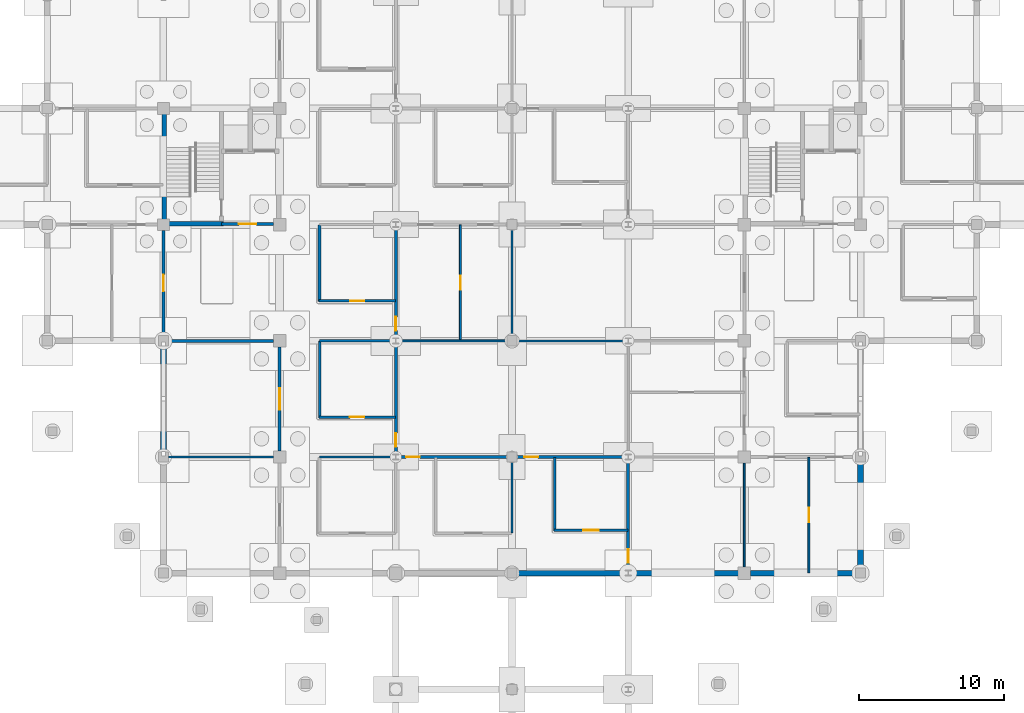
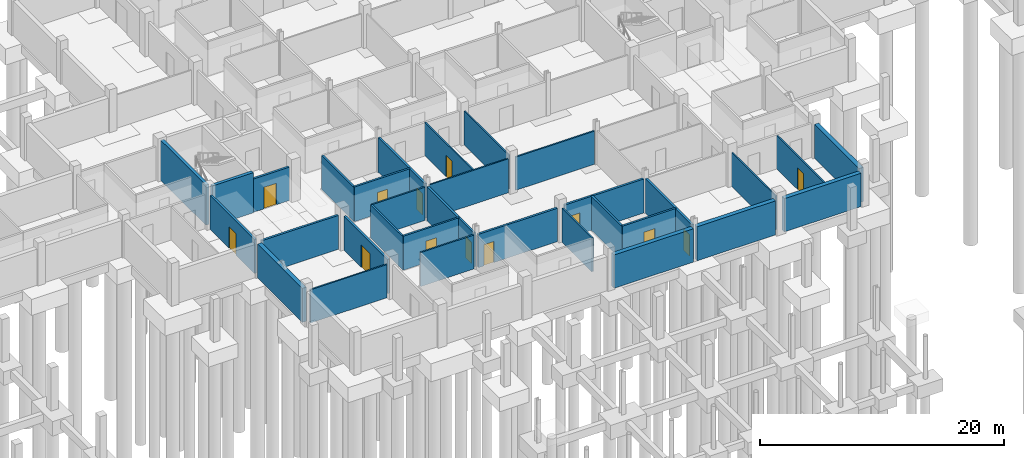
# One storey, part 28 of 48: 32 walls, 13 doors, 13 openings.
"""IFC4 building model written with IfcOpenShell, lengths in metres."""

import ifcopenshell
import ifcopenshell.guid

model = None  # the IFC model being written
_history = None  # IfcOwnerHistory: only IFC2X3 demands one
_inside = {}  # id of a spatial element -> (the spatial element, [elements in it])
_under = {}  # id of a project, library or spatial element -> (it, [spatial elements below it])
_declared = {}  # id of a project -> (the project, [libraries it declares])
_typed = {}  # id of a type object -> (the type object, [elements of that type])
_made_of = {}  # id of a material, layer set ... -> (it, [elements and type objects made of it])


def new_model(schema):
    """Start an empty IFC model of exactly this schema.

    Asked for "IFC4X3", IfcOpenShell would pick the latest addendum, in which some entities
    have other attributes; the version numbers below select the first issue.
    IFC2X3 requires an IfcOwnerHistory on every rooted entity: one is made here for all.
    """
    global model, _history
    if schema == "IFC4X3":
        model = ifcopenshell.file(schema_version=(4, 3, 0, 0))
    else:
        model = ifcopenshell.file(schema=schema)
    _inside.clear()
    _under.clear()
    _declared.clear()
    _typed.clear()
    _made_of.clear()
    _history = None
    if model.schema == "IFC2X3":
        org = make("IfcOrganization", Name="unknown")
        user = make(
            "IfcPersonAndOrganization",
            ThePerson=make("IfcPerson", FamilyName="unknown"),
            TheOrganization=org,
        )
        app = make(
            "IfcApplication",
            ApplicationDeveloper=org,
            Version="unknown",
            ApplicationFullName="unknown",
            ApplicationIdentifier="unknown",
        )
        _history = make(
            "IfcOwnerHistory",
            OwningUser=user,
            OwningApplication=app,
            ChangeAction="ADDED",
            CreationDate=0,
        )
    return model


def make(cls, **values):
    """One entity of the class cls with the attributes given. An attribute that is None is left unset."""
    return model.create_entity(
        cls, **{name: value for name, value in values.items() if value is not None}
    )


def rooted(cls, **values):
    """An entity with a GlobalId (a new one), such as an element, a storey or a relation."""
    return make(cls, GlobalId=ifcopenshell.guid.new(), OwnerHistory=_history, **values)


def si_unit(unit_type, name, prefix=None):
    """IfcSIUnit, for example si_unit("LENGTHUNIT", "METRE", prefix="MILLI")."""
    return make("IfcSIUnit", UnitType=unit_type, Prefix=prefix, Name=name)


def derived_unit(unit_type, elements):
    """IfcDerivedUnit: a product of units, each with its exponent."""
    return make(
        "IfcDerivedUnit",
        Elements=[
            make("IfcDerivedUnitElement", Unit=unit, Exponent=power)
            for unit, power in elements
        ],
        UnitType=unit_type,
    )


def assignment(units):
    """IfcUnitAssignment: the units of a project."""
    return None if units is None else make("IfcUnitAssignment", Units=units)


def point(xyz):
    """IfcCartesianPoint."""
    return None if xyz is None else make("IfcCartesianPoint", Coordinates=xyz)


def direction(xyz):
    """IfcDirection."""
    return None if xyz is None else make("IfcDirection", DirectionRatios=xyz)


def frame(location, z_axis=None, x_axis=None):
    """IfcAxis2Placement3D, a coordinate frame: its origin and axes. An axis left out is left unset."""
    return make(
        "IfcAxis2Placement3D",
        Location=point(location),
        Axis=direction(z_axis),
        RefDirection=direction(x_axis),
    )


def frame_2d(location, x_axis=None):
    """IfcAxis2Placement2D, a coordinate frame in the plane: its origin and x axis."""
    return make(
        "IfcAxis2Placement2D", Location=point(location), RefDirection=direction(x_axis)
    )


def origin():
    """The frame at (0, 0, 0) with its axes left unset."""
    return frame((0.0, 0.0, 0.0))


def place(relative_to, where):
    """IfcLocalPlacement: puts the frame where relative to a parent placement (None: the world)."""
    return make(
        "IfcLocalPlacement", PlacementRelTo=relative_to, RelativePlacement=where
    )


def context(
    kind, dimensions, precision=None, world=None, true_north=None, identifier=None
):
    """IfcGeometricRepresentationContext, for example the 3D "Model" context."""
    return make(
        "IfcGeometricRepresentationContext",
        ContextIdentifier=identifier,
        ContextType=kind,
        CoordinateSpaceDimension=dimensions,
        Precision=precision,
        WorldCoordinateSystem=world,
        TrueNorth=true_north,
    )


def subcontext(parent, identifier, kind, view, scale=None):
    """IfcGeometricRepresentationSubContext, for example "Body" below "Model"."""
    return make(
        "IfcGeometricRepresentationSubContext",
        ContextIdentifier=identifier,
        ContextType=kind,
        ParentContext=parent,
        TargetScale=scale,
        TargetView=view,
    )


def project(units=None, contexts=None):
    """IfcProject with its units and contexts."""
    return rooted(
        "IfcProject",
        Name="project",
        RepresentationContexts=contexts,
        UnitsInContext=assignment(units),
    )


def spatial(cls, under=None, at=None, **own):
    """A site, building, storey or space (cls), placed at a placement, below another one or the project."""
    s = rooted(cls, ObjectPlacement=at, **own)
    if under is not None:
        _under.setdefault(under.id(), (under, []))[1].append(s)
    return s


def profile(cls, at=None, kind="AREA", **sizes):
    """A parametric profile (cls). Its sizes go by their IFC names, for example OverallWidth=200.0."""
    return make(cls, ProfileType=kind, Position=at, **sizes)


def rectangle(**sizes):
    """IfcRectangleProfileDef."""
    return profile("IfcRectangleProfileDef", **sizes)


def extrude(swept, where, along, depth):
    """IfcExtrudedAreaSolid: the profile swept, set in the frame where, extruded along a direction by depth."""
    return make(
        "IfcExtrudedAreaSolid",
        SweptArea=swept,
        Position=where,
        ExtrudedDirection=direction(along),
        Depth=depth,
    )


def shape(context_of_items, identifier, shape_type, items):
    """IfcShapeRepresentation: the items that make up one representation, for example the "Body"."""
    return make(
        "IfcShapeRepresentation",
        ContextOfItems=context_of_items,
        RepresentationIdentifier=identifier,
        RepresentationType=shape_type,
        Items=items,
    )


def material(Name=None, Category=None):
    """IfcMaterial."""
    return make("IfcMaterial", Name=Name, Category=Category)


def layer(
    of_material, thickness, ventilated=None, Name=None, Category=None, Priority=None
):
    """IfcMaterialLayer: one layer of a wall or slab, of a material (None: an air gap)."""
    return make(
        "IfcMaterialLayer",
        Material=of_material,
        LayerThickness=thickness,
        IsVentilated=ventilated,
        Name=Name,
        Category=Category,
        Priority=Priority,
    )


def layer_set(layers, Name=None):
    """IfcMaterialLayerSet."""
    return make("IfcMaterialLayerSet", MaterialLayers=layers, LayerSetName=Name)


def made_of(thing, what):
    """Note that an element or type object is made of a material, layer set ...; save() writes the relation."""
    if what is not None:
        _made_of.setdefault(what.id(), (what, []))[1].append(thing)
    return thing


def type_object(cls, material=None, **own):
    """A type object (cls), such as IfcWallType, which elements share."""
    return made_of(rooted(cls, **own), material)


def element(
    cls,
    number,
    at=None,
    inside=None,
    cuts=None,
    type_object=None,
    material=None,
    context=None,
    identifier="Body",
    shape_type=None,
    held_by="IfcProductDefinitionShape",
    body=None,
    shapes=None,
    **own,
):
    """One element of the class cls, such as IfcWall. Its Tag is "e" and its number.

    at: its placement. inside: the storey or other place that contains it. cuts: it is an
    opening in that element (IfcRelVoidsElement). A single representation is given by context,
    identifier, shape_type and body (its items); several are given by shapes. held_by: the class
    of the entity that holds the representations. save() writes the other relations.
    """
    e = rooted(cls, Tag="e%d" % number, ObjectPlacement=at, **own)
    if body is not None:
        shapes = [shape(context, identifier, shape_type, body)]
    if shapes is not None:
        e.Representation = make(held_by, Representations=shapes)
    if inside is not None:
        _inside.setdefault(inside.id(), (inside, []))[1].append(e)
    if cuts is not None:
        rooted(
            "IfcRelVoidsElement", RelatingBuildingElement=cuts, RelatedOpeningElement=e
        )
    if type_object is not None:
        _typed.setdefault(type_object.id(), (type_object, []))[1].append(e)
    return made_of(e, material)


def fill(opening, filler):
    """IfcRelFillsElement: the door or window that sits in an opening."""
    return rooted(
        "IfcRelFillsElement",
        RelatingOpeningElement=opening,
        RelatedBuildingElement=filler,
    )


def aggregate(whole, parts):
    """IfcRelAggregates: a whole, such as a stair, and the parts it consists of."""
    return rooted("IfcRelAggregates", RelatingObject=whole, RelatedObjects=parts)


def save(model, path):
    """Write the relations noted so far, then the file.

    IfcRelAggregates (storeys below a building ...), IfcRelContainedInSpatialStructure (elements
    in a storey), IfcRelDefinesByType, IfcRelAssociatesMaterial and IfcRelDeclares: one each for
    every whole, place, type object, material and project.
    """
    for whole, parts in _under.values():
        aggregate(whole, parts)
    for where, things in _inside.values():
        rooted(
            "IfcRelContainedInSpatialStructure",
            RelatedElements=things,
            RelatingStructure=where,
        )
    for kind, things in _typed.values():
        rooted("IfcRelDefinesByType", RelatedObjects=things, RelatingType=kind)
    for what, things in _made_of.values():
        rooted("IfcRelAssociatesMaterial", RelatedObjects=things, RelatingMaterial=what)
    for by, libraries in _declared.values():
        rooted("IfcRelDeclares", RelatingContext=by, RelatedDefinitions=libraries)
    model.write(path)


model = new_model("IFC4")

# Units and contexts
model_context = context("Model", 3, precision=1e-05, world=origin(), true_north=direction((0.0, 1.0)))
body_context = subcontext(model_context, "Body", "Model", "MODEL_VIEW")
ifc_project = project(units=[si_unit("LENGTHUNIT", "METRE"), si_unit("AREAUNIT", "SQUARE_METRE"), si_unit("VOLUMEUNIT", "CUBIC_METRE"), si_unit("PLANEANGLEUNIT", "RADIAN"), si_unit("MASSUNIT", "GRAM", prefix="KILO"), derived_unit("THERMALTRANSMITTANCEUNIT", [(si_unit("MASSUNIT", "GRAM", prefix="KILO"), 1), (si_unit("TIMEUNIT", "SECOND"), -3), (si_unit("THERMODYNAMICTEMPERATUREUNIT", "KELVIN"), -1)])], contexts=[model_context])

# Site, building, storey
site_placement = place(None, origin())
site = spatial("IfcSite", under=ifc_project, at=site_placement, CompositionType="ELEMENT")
building_placement = place(site_placement, origin())
building = spatial("IfcBuilding", under=site, at=building_placement, Name="Veyamyaing Civic Hall", CompositionType="ELEMENT")
storey_placement = place(building_placement, frame((0.0, 0.0, -4.2900390625)))
storey = spatial("IfcBuildingStorey", under=building, at=storey_placement, Name="B1", CompositionType="ELEMENT", Elevation=-4.2900390625)

# Walls
ifc_material_1 = material(Name="Concrete C40/50", Category="concrete")
ifc_layer_1 = layer(ifc_material_1, 0.39990234375, Name="Concrete C40/50")
ifc_layer_set_1 = layer_set([ifc_layer_1], Name="Concrete C40/50")
wall_type_1 = type_object("IfcWallType", Name="WT-01", PredefinedType="SHEAR", material=ifc_layer_set_1)
wall_1_placement = place(storey_placement, frame((64.0, 32.3349609375, 0.0), z_axis=(0.0, 0.0, 1.0), x_axis=(0.0, 1.0, 0.0)))
element("IfcWall", 1, at=wall_1_placement, inside=storey, type_object=wall_type_1, Name="Basement retaining wall WT-01 W 9.5", PredefinedType="SHEAR", context=body_context, shape_type="SweptSolid", body=[
    extrude(rectangle(XDim=7.330078125, YDim=0.39990234375, at=frame_2d((3.6650390625, 0.0))), origin(), (0.0, 0.0, 1.0), 3.400146484375),
])
wall_2_placement = place(storey_placement, frame((88.3349609375, 24.0, 0.0), z_axis=(0.0, 0.0, 1.0), x_axis=(1.0, 0.0, 0.0)))
element("IfcWall", 2, at=wall_2_placement, inside=storey, type_object=wall_type_1, Name="Basement retaining wall WT-01 S 12.4", PredefinedType="SHEAR", context=body_context, shape_type="SweptSolid", body=[
    extrude(rectangle(XDim=7.48095703125, YDim=0.39990234375, at=frame_2d((3.740478515625, 0.0))), origin(), (0.0, 0.0, 1.0), 3.3330078125),
])
wall_3_placement = place(storey_placement, frame((96.18408203125, 24.0, 0.0), z_axis=(0.0, 0.0, 1.0), x_axis=(1.0, 0.0, 0.0)))
element("IfcWall", 3, at=wall_3_placement, inside=storey, type_object=wall_type_1, Name="Basement retaining wall WT-01 S 13.4", PredefinedType="SHEAR", context=body_context, shape_type="SweptSolid", body=[
    extrude(rectangle(XDim=7.406005859375, YDim=0.39990234375, at=frame_2d((3.703125, 0.0))), origin(), (0.0, 0.0, 1.0), 3.401123046875),
])
wall_4_placement = place(storey_placement, frame((104.409912109375, 24.0, 0.0), z_axis=(0.0, 0.0, 1.0), x_axis=(1.0, 0.0, 0.0)))
element("IfcWall", 4, at=wall_4_placement, inside=storey, type_object=wall_type_1, Name="Basement retaining wall WT-01 S 14.4", PredefinedType="SHEAR", context=body_context, shape_type="SweptSolid", body=[
    extrude(rectangle(XDim=7.255126953125, YDim=0.39990234375, at=frame_2d((3.62744140625, 0.0))), origin(), (0.0, 0.0, 1.0), 3.323974609375),
])
wall_5_placement = place(storey_placement, frame((112.0, 24.3349609375, 0.0), z_axis=(0.0, 0.0, 1.0), x_axis=(0.0, 1.0, 0.0)))
element("IfcWall", 5, at=wall_5_placement, inside=storey, type_object=wall_type_1, Name="Basement retaining wall WT-01 E 14.4", PredefinedType="SHEAR", context=body_context, shape_type="SweptSolid", body=[
    extrude(rectangle(XDim=7.330078125, YDim=0.39990234375, at=frame_2d((3.6650390625, 0.0))), origin(), (0.0, 0.0, 1.0), 3.408935546875),
])
ifc_layer_2 = layer(ifc_material_1, 0.300048828125, Name="Concrete C40/50")
ifc_layer_set_2 = layer_set([ifc_layer_2], Name="Concrete C40/50")
wall_type_2 = type_object("IfcWallType", Name="WT-05", PredefinedType="SHEAR", material=ifc_layer_set_2)
wall_6_placement = place(storey_placement, frame((64.050048828125, 48.2900390625, 0.0), z_axis=(0.0, 0.0, 1.0), x_axis=(0.0, 1.0, 0.0)))
element("IfcWall", 6, at=wall_6_placement, inside=storey, type_object=wall_type_2, Name="Core shear wall WT-05 CORE-5 B1.W", PredefinedType="SHEAR", context=body_context, shape_type="SweptSolid", body=[
    extrude(rectangle(XDim=7.419921875, YDim=0.300048828125, at=frame_2d((3.7099609375, 0.0))), origin(), (0.0, 0.0, 1.0), 4.01513671875),
])
wall_7_placement = place(storey_placement, frame((64.2900390625, 48.050048828125, 0.0), z_axis=(0.0, 0.0, 1.0), x_axis=(1.0, 0.0, 0.0)))
element("IfcWall", 7, at=wall_7_placement, inside=storey, type_object=wall_type_2, Name="Core shear wall WT-05 CORE-5 B1.SS", PredefinedType="SHEAR", context=body_context, shape_type="SweptSolid", body=[
    extrude(rectangle(XDim=3.85986328125, YDim=0.300048828125, at=frame_2d((1.929931640625, 0.0))), origin(), (0.0, 0.0, 1.0), 4.01513671875),
])

# Wall, opening, door
ifc_layer_3 = layer(ifc_material_1, 0.199951171875, Name="Concrete C40/50")
ifc_layer_set_3 = layer_set([ifc_layer_3], Name="Concrete C40/50")
wall_type_3 = type_object("IfcWallType", Name="WT-06", PredefinedType="PARTITIONING", material=ifc_layer_set_3)
wall_8_placement = place(storey_placement, frame((68.0, 48.050048828125, 0.0), z_axis=(0.0, 0.0, 1.0), x_axis=(1.0, 0.0, 0.0)))
wall_8 = element("IfcWall", 8, at=wall_8_placement, inside=storey, type_object=wall_type_3, Name="Firefighting lift lobby wall WT-06 CORE-5 B1", PredefinedType="PARTITIONING", context=body_context, shape_type="SweptSolid", body=[
    extrude(rectangle(XDim=3.5849609375, YDim=0.199951171875, at=frame_2d((1.79248046875, 0.0))), origin(), (0.0, 0.0, 1.0), 3.325927734375),
])
opening_1_placement = place(wall_8_placement, frame((1.1923828125, 0.0, 0.0)))
opening_1 = element("IfcOpeningElement", 9, at=opening_1_placement, cuts=wall_8, Name="Opening D-04", PredefinedType="OPENING", context=body_context, shape_type="SweptSolid", body=[
    extrude(rectangle(XDim=1.199951171875, YDim=2.14990234375, at=frame_2d((0.60009765625, 1.074951171875))), frame((0.0, 0.10986328125, 0.0), z_axis=(0.0, -1.0, 0.0), x_axis=(1.0, 0.0, 0.0)), (0.0, 0.0, 1.0), 0.219970703125),
])
ifc_material_2 = material(Name="Galvanized steel S355J2", Category="steel")
door_type_1 = type_object("IfcDoorType", Name="D-04", OperationType="NOTDEFINED", PredefinedType="DOOR", material=ifc_material_2)
door_1_placement = place(opening_1_placement, frame((1.199951171875, 0.0, 0.0), z_axis=(0.0, 0.0, 1.0), x_axis=(-1.0, 0.0, 0.0)))
door_1 = element("IfcDoor", 10, at=door_1_placement, inside=storey, type_object=door_type_1, Name="Protected lobby fire door D-04 CORE-5 B1", OperationType="SINGLE_SWING_RIGHT", OverallHeight=2.14990234375, OverallWidth=1.199951171875, PredefinedType="DOOR", context=body_context, shape_type="SweptSolid", body=[
    extrude(rectangle(XDim=1.199951171875, YDim=2.14990234375, at=frame_2d((0.60009765625, 1.074951171875))), frame((0.0, 0.02490234375, 0.0), z_axis=(0.0, -1.0, 0.0), x_axis=(1.0, 0.0, 0.0)), (0.0, 0.0, 1.0), 0.050048828125),
])
fill(opening_1, door_1)

wall_9_placement = place(storey_placement, frame((64.0, 40.340087890625, 0.0), z_axis=(0.0, 0.0, 1.0), x_axis=(0.0, 1.0, 0.0)))
wall_9 = element("IfcWall", 11, at=wall_9_placement, inside=storey, type_object=wall_type_3, Name="Interior partition wall WT-06 B1.13", PredefinedType="PARTITIONING", context=body_context, shape_type="SweptSolid", body=[
    extrude(rectangle(XDim=7.27001953125, YDim=0.199951171875, at=frame_2d((3.635009765625, 0.0))), origin(), (0.0, 0.0, 1.0), 3.402099609375),
])
opening_2_placement = place(wall_9_placement, frame((3.06005859375, 0.0, 0.0)))
opening_2 = element("IfcOpeningElement", 12, at=opening_2_placement, cuts=wall_9, Name="Opening D-17", PredefinedType="OPENING", context=body_context, shape_type="SweptSolid", body=[
    extrude(rectangle(XDim=1.14990234375, YDim=2.14990234375, at=frame_2d((0.574951171875, 1.074951171875))), frame((0.0, 0.10986328125, 0.0), z_axis=(0.0, -1.0, 0.0), x_axis=(1.0, 0.0, 0.0)), (0.0, 0.0, 1.0), 0.219970703125),
])
door_type_2 = type_object("IfcDoorType", Name="D-17", OperationType="NOTDEFINED", PredefinedType="DOOR", material=ifc_material_2)
door_2_placement = place(opening_2_placement, origin())
door_2 = element("IfcDoor", 13, at=door_2_placement, inside=storey, type_object=door_type_2, Name="Interior door D-17 B1.13", OperationType="SINGLE_SWING_LEFT", OverallHeight=2.14990234375, OverallWidth=1.14990234375, PredefinedType="DOOR", context=body_context, shape_type="SweptSolid", body=[
    extrude(rectangle(XDim=1.14990234375, YDim=2.14990234375, at=frame_2d((0.574951171875, 1.074951171875))), frame((0.0, 0.02490234375, 0.0), z_axis=(0.0, -1.0, 0.0), x_axis=(1.0, 0.0, 0.0)), (0.0, 0.0, 1.0), 0.050048828125),
])
fill(opening_2, door_2)

wall_10_placement = place(storey_placement, frame((72.0, 32.4150390625, 0.0), z_axis=(0.0, 0.0, 1.0), x_axis=(0.0, 1.0, 0.0)))
wall_10 = element("IfcWall", 14, at=wall_10_placement, inside=storey, type_object=wall_type_3, Name="Interior partition wall WT-06 B1.18", PredefinedType="PARTITIONING", context=body_context, shape_type="SweptSolid", body=[
    extrude(rectangle(XDim=7.169921875, YDim=0.199951171875, at=frame_2d((3.5849609375, 0.0))), origin(), (0.0, 0.0, 1.0), 3.402099609375),
])
opening_3_placement = place(wall_10_placement, frame((2.8349609375, 0.0, 0.0)))
opening_3 = element("IfcOpeningElement", 15, at=opening_3_placement, cuts=wall_10, Name="Opening D-10", PredefinedType="OPENING", context=body_context, shape_type="SweptSolid", body=[
    extrude(rectangle(XDim=1.5, YDim=2.25, at=frame_2d((0.75, 1.125))), frame((0.0, 0.10986328125, 0.0), z_axis=(0.0, -1.0, 0.0), x_axis=(1.0, 0.0, 0.0)), (0.0, 0.0, 1.0), 0.219970703125),
])
door_type_3 = type_object("IfcDoorType", Name="D-10", OperationType="DOUBLE_DOOR_SINGLE_SWING", PredefinedType="DOOR", material=ifc_material_2)
door_3_placement = place(opening_3_placement, origin())
door_3 = element("IfcDoor", 16, at=door_3_placement, inside=storey, type_object=door_type_3, Name="Interior door D-10 B1.18", OperationType="DOUBLE_DOOR_SINGLE_SWING", OverallHeight=2.25, OverallWidth=1.5, PredefinedType="DOOR", context=body_context, shape_type="SweptSolid", body=[
    extrude(rectangle(XDim=1.5, YDim=2.25, at=frame_2d((0.75, 1.125))), frame((0.0, 0.02490234375, 0.0), z_axis=(0.0, -1.0, 0.0), x_axis=(1.0, 0.0, 0.0)), (0.0, 0.0, 1.0), 0.050048828125),
])
fill(opening_3, door_3)

# Wall
wall_11_placement = place(storey_placement, frame((64.340087890625, 40.0, 0.0), z_axis=(0.0, 0.0, 1.0), x_axis=(1.0, 0.0, 0.0)))
element("IfcWall", 17, at=wall_11_placement, inside=storey, type_object=wall_type_3, Name="Interior partition wall WT-06 B1.19", PredefinedType="PARTITIONING", context=body_context, shape_type="SweptSolid", body=[
    extrude(rectangle(XDim=7.244873046875, YDim=0.199951171875, at=frame_2d((3.62255859375, 0.0))), origin(), (0.0, 0.0, 1.0), 3.39306640625),
])

# Wall, opening, door
wall_12_placement = place(storey_placement, frame((80.0, 32.18359375, 0.0), z_axis=(0.0, 0.0, 1.0), x_axis=(0.0, 1.0, 0.0)))
wall_12 = element("IfcWall", 18, at=wall_12_placement, inside=storey, type_object=wall_type_3, Name="Interior partition wall WT-06 B1.24", PredefinedType="PARTITIONING", context=body_context, shape_type="SweptSolid", body=[
    extrude(rectangle(XDim=7.6328125, YDim=0.199951171875, at=frame_2d((3.81640625, 0.0))), origin(), (0.0, 0.0, 1.0), 3.39404296875),
])
opening_4_placement = place(wall_12_placement, frame((0.52001953125, 0.0, 0.0)))
opening_4 = element("IfcOpeningElement", 19, at=opening_4_placement, cuts=wall_12, Name="Opening D-30", PredefinedType="OPENING", context=body_context, shape_type="SweptSolid", body=[
    extrude(rectangle(XDim=0.93994140625, YDim=2.1201171875, at=frame_2d((0.469970703125, 1.06005859375))), frame((0.0, 0.10986328125, 0.0), z_axis=(0.0, -1.0, 0.0), x_axis=(1.0, 0.0, 0.0)), (0.0, 0.0, 1.0), 0.219970703125),
])
ifc_material_3 = material(Name="Teak-veneered acoustic timber", Category="wood")
door_type_4 = type_object("IfcDoorType", Name="D-30", OperationType="NOTDEFINED", PredefinedType="DOOR", material=ifc_material_3)
door_4_placement = place(opening_4_placement, frame((0.93994140625, 0.0, 0.0), z_axis=(0.0, 0.0, 1.0), x_axis=(-1.0, 0.0, 0.0)))
door_4 = element("IfcDoor", 20, at=door_4_placement, inside=storey, type_object=door_type_4, Name="Interior door D-30 B1.24", OperationType="SINGLE_SWING_LEFT", OverallHeight=2.1201171875, OverallWidth=0.93994140625, PredefinedType="DOOR", context=body_context, shape_type="SweptSolid", body=[
    extrude(rectangle(XDim=0.93994140625, YDim=2.1201171875, at=frame_2d((0.469970703125, 1.06005859375))), frame((0.0, 0.02490234375, 0.0), z_axis=(0.0, -1.0, 0.0), x_axis=(1.0, 0.0, 0.0)), (0.0, 0.0, 1.0), 0.050048828125),
])
fill(opening_4, door_4)

wall_13_placement = place(storey_placement, frame((80.0, 40.18359375, 0.0), z_axis=(0.0, 0.0, 1.0), x_axis=(0.0, 1.0, 0.0)))
wall_13 = element("IfcWall", 21, at=wall_13_placement, inside=storey, type_object=wall_type_3, Name="Interior partition wall WT-06 B1.25", PredefinedType="PARTITIONING", context=body_context, shape_type="SweptSolid", body=[
    extrude(rectangle(XDim=7.6328125, YDim=0.199951171875, at=frame_2d((3.81640625, 0.0))), origin(), (0.0, 0.0, 1.0), 3.4609375),
])
opening_5_placement = place(wall_13_placement, frame((0.52001953125, 0.0, 0.0)))
opening_5 = element("IfcOpeningElement", 22, at=opening_5_placement, cuts=wall_13, Name="Opening D-30", PredefinedType="OPENING", context=body_context, shape_type="SweptSolid", body=[
    extrude(rectangle(XDim=0.93994140625, YDim=2.1201171875, at=frame_2d((0.469970703125, 1.06005859375))), frame((0.0, 0.10986328125, 0.0), z_axis=(0.0, -1.0, 0.0), x_axis=(1.0, 0.0, 0.0)), (0.0, 0.0, 1.0), 0.219970703125),
])
door_5_placement = place(opening_5_placement, frame((0.93994140625, 0.0, 0.0), z_axis=(0.0, 0.0, 1.0), x_axis=(-1.0, 0.0, 0.0)))
door_5 = element("IfcDoor", 23, at=door_5_placement, inside=storey, type_object=door_type_4, Name="Interior door D-30 B1.25", OperationType="SINGLE_SWING_RIGHT", OverallHeight=2.1201171875, OverallWidth=0.93994140625, PredefinedType="DOOR", context=body_context, shape_type="SweptSolid", body=[
    extrude(rectangle(XDim=0.93994140625, YDim=2.1201171875, at=frame_2d((0.469970703125, 1.06005859375))), frame((0.0, 0.02490234375, 0.0), z_axis=(0.0, -1.0, 0.0), x_axis=(1.0, 0.0, 0.0)), (0.0, 0.0, 1.0), 0.050048828125),
])
fill(opening_5, door_5)

wall_14_placement = place(storey_placement, frame((80.18896484375, 32.0, 0.0), z_axis=(0.0, 0.0, 1.0), x_axis=(1.0, 0.0, 0.0)))
wall_14 = element("IfcWall", 24, at=wall_14_placement, inside=storey, type_object=wall_type_3, Name="Interior partition wall WT-06 B1.28", PredefinedType="PARTITIONING", context=body_context, shape_type="SweptSolid", body=[
    extrude(rectangle(XDim=7.470947265625, YDim=0.199951171875, at=frame_2d((3.7353515625, 0.0))), origin(), (0.0, 0.0, 1.0), 3.325927734375),
])
opening_6_placement = place(wall_14_placement, frame((0.52001953125, 0.0, 0.0)))
opening_6 = element("IfcOpeningElement", 25, at=opening_6_placement, cuts=wall_14, Name="Opening D-30", PredefinedType="OPENING", context=body_context, shape_type="SweptSolid", body=[
    extrude(rectangle(XDim=0.93994140625, YDim=2.1201171875, at=frame_2d((0.469970703125, 1.06005859375))), frame((0.0, 0.10986328125, 0.0), z_axis=(0.0, -1.0, 0.0), x_axis=(1.0, 0.0, 0.0)), (0.0, 0.0, 1.0), 0.219970703125),
])
door_6_placement = place(opening_6_placement, origin())
door_6 = element("IfcDoor", 26, at=door_6_placement, inside=storey, type_object=door_type_4, Name="Interior door D-30 B1.28", OperationType="SINGLE_SWING_LEFT", OverallHeight=2.1201171875, OverallWidth=0.93994140625, PredefinedType="DOOR", context=body_context, shape_type="SweptSolid", body=[
    extrude(rectangle(XDim=0.93994140625, YDim=2.1201171875, at=frame_2d((0.469970703125, 1.06005859375))), frame((0.0, 0.02490234375, 0.0), z_axis=(0.0, -1.0, 0.0), x_axis=(1.0, 0.0, 0.0)), (0.0, 0.0, 1.0), 0.050048828125),
])
fill(opening_6, door_6)

wall_15_placement = place(storey_placement, frame((96.0, 24.18359375, 0.0), z_axis=(0.0, 0.0, 1.0), x_axis=(0.0, 1.0, 0.0)))
wall_15 = element("IfcWall", 27, at=wall_15_placement, inside=storey, type_object=wall_type_3, Name="Interior partition wall WT-06 B1.36", PredefinedType="PARTITIONING", context=body_context, shape_type="SweptSolid", body=[
    extrude(rectangle(XDim=7.6328125, YDim=0.199951171875, at=frame_2d((3.81640625, 0.0))), origin(), (0.0, 0.0, 1.0), 3.4609375),
])
opening_7_placement = place(wall_15_placement, frame((0.52001953125, 0.0, 0.0)))
opening_7 = element("IfcOpeningElement", 28, at=opening_7_placement, cuts=wall_15, Name="Opening D-30", PredefinedType="OPENING", context=body_context, shape_type="SweptSolid", body=[
    extrude(rectangle(XDim=0.93994140625, YDim=2.1201171875, at=frame_2d((0.469970703125, 1.06005859375))), frame((0.0, 0.10986328125, 0.0), z_axis=(0.0, -1.0, 0.0), x_axis=(1.0, 0.0, 0.0)), (0.0, 0.0, 1.0), 0.219970703125),
])
door_7_placement = place(opening_7_placement, frame((0.93994140625, 0.0, 0.0), z_axis=(0.0, 0.0, 1.0), x_axis=(-1.0, 0.0, 0.0)))
door_7 = element("IfcDoor", 29, at=door_7_placement, inside=storey, type_object=door_type_4, Name="Interior door D-30 B1.36", OperationType="SINGLE_SWING_RIGHT", OverallHeight=2.1201171875, OverallWidth=0.93994140625, PredefinedType="DOOR", context=body_context, shape_type="SweptSolid", body=[
    extrude(rectangle(XDim=0.93994140625, YDim=2.1201171875, at=frame_2d((0.469970703125, 1.06005859375))), frame((0.0, 0.02490234375, 0.0), z_axis=(0.0, -1.0, 0.0), x_axis=(1.0, 0.0, 0.0)), (0.0, 0.0, 1.0), 0.050048828125),
])
fill(opening_7, door_7)

wall_16_placement = place(storey_placement, frame((88.340087890625, 32.0, 0.0), z_axis=(0.0, 0.0, 1.0), x_axis=(1.0, 0.0, 0.0)))
wall_16 = element("IfcWall", 30, at=wall_16_placement, inside=storey, type_object=wall_type_3, Name="Interior partition wall WT-06 B1.37", PredefinedType="PARTITIONING", context=body_context, shape_type="SweptSolid", body=[
    extrude(rectangle(XDim=7.470947265625, YDim=0.199951171875, at=frame_2d((3.7353515625, 0.0))), origin(), (0.0, 0.0, 1.0), 3.39404296875),
])
opening_8_placement = place(wall_16_placement, frame((0.52001953125, 0.0, 0.0)))
opening_8 = element("IfcOpeningElement", 31, at=opening_8_placement, cuts=wall_16, Name="Opening D-30", PredefinedType="OPENING", context=body_context, shape_type="SweptSolid", body=[
    extrude(rectangle(XDim=0.93994140625, YDim=2.1201171875, at=frame_2d((0.469970703125, 1.06005859375))), frame((0.0, 0.10986328125, 0.0), z_axis=(0.0, -1.0, 0.0), x_axis=(1.0, 0.0, 0.0)), (0.0, 0.0, 1.0), 0.219970703125),
])
door_8_placement = place(opening_8_placement, origin())
door_8 = element("IfcDoor", 32, at=door_8_placement, inside=storey, type_object=door_type_4, Name="Interior door D-30 B1.37", OperationType="SINGLE_SWING_LEFT", OverallHeight=2.1201171875, OverallWidth=0.93994140625, PredefinedType="DOOR", context=body_context, shape_type="SweptSolid", body=[
    extrude(rectangle(XDim=0.93994140625, YDim=2.1201171875, at=frame_2d((0.469970703125, 1.06005859375))), frame((0.0, 0.02490234375, 0.0), z_axis=(0.0, -1.0, 0.0), x_axis=(1.0, 0.0, 0.0)), (0.0, 0.0, 1.0), 0.050048828125),
])
fill(opening_8, door_8)

ifc_material_4 = material(Name="Gypsum board on acoustic steel stud", Category="steel")
ifc_layer_4 = layer(ifc_material_4, 0.175048828125, Name="Gypsum board on acoustic steel stud")
ifc_layer_set_4 = layer_set([ifc_layer_4], Name="Gypsum board on acoustic steel stud")
wall_type_4 = type_object("IfcWallType", Name="WT-07", PredefinedType="PARTITIONING", material=ifc_layer_set_4)
wall_17_placement = place(storey_placement, frame((74.699951171875, 34.75, 0.0), z_axis=(0.0, 0.0, 1.0), x_axis=(1.0, 0.0, 0.0)))
wall_17 = element("IfcWall", 33, at=wall_17_placement, inside=storey, type_object=wall_type_4, Name="Corridor gallery partition WT-07 B1.21.1", PredefinedType="PARTITIONING", context=body_context, shape_type="SweptSolid", body=[
    extrude(rectangle(XDim=5.280029296875, YDim=0.175048828125, at=frame_2d((2.64013671875, 0.0))), origin(), (0.0, 0.0, 1.0), 3.39404296875),
])
opening_9_placement = place(wall_17_placement, frame((2.139892578125, 0.0, 0.0)))
opening_9 = element("IfcOpeningElement", 34, at=opening_9_placement, cuts=wall_17, Name="Opening D-13", PredefinedType="OPENING", context=body_context, shape_type="SweptSolid", body=[
    extrude(rectangle(XDim=1.0, YDim=2.14990234375, at=frame_2d((0.5, 1.074951171875))), frame((0.0, 0.097412109375, 0.0), z_axis=(0.0, -1.0, 0.0), x_axis=(1.0, 0.0, 0.0)), (0.0, 0.0, 1.0), 0.195068359375),
])
door_type_5 = type_object("IfcDoorType", Name="D-13", OperationType="NOTDEFINED", PredefinedType="DOOR", material=ifc_material_3)
door_9_placement = place(opening_9_placement, origin())
door_9 = element("IfcDoor", 35, at=door_9_placement, inside=storey, type_object=door_type_5, Name="Gallery office door D-13 B1.21", OperationType="SINGLE_SWING_LEFT", OverallHeight=2.14990234375, OverallWidth=1.0, PredefinedType="DOOR", context=body_context, shape_type="SweptSolid", body=[
    extrude(rectangle(XDim=1.0, YDim=2.14990234375, at=frame_2d((0.5, 1.074951171875))), frame((0.0, 0.02490234375, 0.0), z_axis=(0.0, -1.0, 0.0), x_axis=(1.0, 0.0, 0.0)), (0.0, 0.0, 1.0), 0.050048828125),
])
fill(opening_9, door_9)

# Walls
wall_18_placement = place(storey_placement, frame((74.75, 34.699951171875, 0.0), z_axis=(0.0, 0.0, 1.0), x_axis=(0.0, 1.0, 0.0)))
element("IfcWall", 36, at=wall_18_placement, inside=storey, type_object=wall_type_4, Name="Corridor gallery partition WT-07 B1.21.2", PredefinedType="PARTITIONING", context=body_context, shape_type="SweptSolid", body=[
    extrude(rectangle(XDim=5.280029296875, YDim=0.175048828125, at=frame_2d((2.64013671875, 0.0))), origin(), (0.0, 0.0, 1.0), 3.325927734375),
])
ifc_material_5 = material(Name="Gypsum board on steel stud", Category="steel")
ifc_layer_5 = layer(ifc_material_5, 0.14990234375, Name="Gypsum board on steel stud")
ifc_layer_set_5 = layer_set([ifc_layer_5], Name="Gypsum board on steel stud")
wall_type_5 = type_object("IfcWallType", Name="WT-08", PredefinedType="PARTITIONING", material=ifc_layer_set_5)
wall_19_placement = place(storey_placement, frame((74.75, 32.0, 0.0), z_axis=(0.0, 0.0, 1.0), x_axis=(1.0, 0.0, 0.0)))
element("IfcWall", 37, at=wall_19_placement, inside=storey, type_object=wall_type_5, Name="Gallery office end partition WT-08 B1.20.1", PredefinedType="PARTITIONING", context=body_context, shape_type="SweptSolid", body=[
    extrude(rectangle(XDim=5.041015625, YDim=0.14990234375, at=frame_2d((2.5205078125, 0.0))), origin(), (0.0, 0.0, 1.0), 3.39306640625),
])
wall_20_placement = place(storey_placement, frame((74.75, 40.0, 0.0), z_axis=(0.0, 0.0, 1.0), x_axis=(1.0, 0.0, 0.0)))
element("IfcWall", 38, at=wall_20_placement, inside=storey, type_object=wall_type_5, Name="Gallery office end partition WT-08 B1.21.1", PredefinedType="PARTITIONING", context=body_context, shape_type="SweptSolid", body=[
    extrude(rectangle(XDim=5.041015625, YDim=0.14990234375, at=frame_2d((2.5205078125, 0.0))), origin(), (0.0, 0.0, 1.0), 3.325927734375),
])
wall_21_placement = place(storey_placement, frame((88.0, 26.75, 0.0), z_axis=(0.0, 0.0, 1.0), x_axis=(0.0, 1.0, 0.0)))
element("IfcWall", 39, at=wall_21_placement, inside=storey, type_object=wall_type_5, Name="Gallery office end partition WT-08 B1.27.2", PredefinedType="PARTITIONING", context=body_context, shape_type="SweptSolid", body=[
    extrude(rectangle(XDim=4.889892578125, YDim=0.14990234375, at=frame_2d((2.44482421875, 0.0))), origin(), (0.0, 0.0, 1.0), 3.39404296875),
])
ifc_layer_6 = layer(ifc_material_5, 0.135009765625, Name="Gypsum board on steel stud")
ifc_layer_set_6 = layer_set([ifc_layer_6], Name="Gypsum board on steel stud")
wall_type_6 = type_object("IfcWallType", Name="WT-15", PredefinedType="PARTITIONING", material=ifc_layer_set_6)
wall_22_placement = place(storey_placement, frame((64.340087890625, 32.0, 0.0), z_axis=(0.0, 0.0, 1.0), x_axis=(1.0, 0.0, 0.0)))
element("IfcWall", 40, at=wall_22_placement, inside=storey, type_object=wall_type_6, Name="Interior partition wall WT-15 B1.17", PredefinedType="PARTITIONING", context=body_context, shape_type="SweptSolid", body=[
    extrude(rectangle(XDim=7.244873046875, YDim=0.135009765625, at=frame_2d((3.62255859375, 0.0))), origin(), (0.0, 0.0, 1.0), 3.317138671875),
])
wall_23_placement = place(storey_placement, frame((80.18896484375, 40.0, 0.0), z_axis=(0.0, 0.0, 1.0), x_axis=(1.0, 0.0, 0.0)))
element("IfcWall", 41, at=wall_23_placement, inside=storey, type_object=wall_type_6, Name="Interior partition wall WT-15 B1.29", PredefinedType="PARTITIONING", context=body_context, shape_type="SweptSolid", body=[
    extrude(rectangle(XDim=7.470947265625, YDim=0.135009765625, at=frame_2d((3.7353515625, 0.0))), origin(), (0.0, 0.0, 1.0), 3.39404296875),
])

# Wall, opening, door
wall_24_placement = place(storey_placement, frame((84.449951171875, 40.02001953125, 0.0), z_axis=(0.0, 0.0, 1.0), x_axis=(0.0, 1.0, 0.0)))
wall_24 = element("IfcWall", 42, at=wall_24_placement, inside=storey, type_object=wall_type_6, Name="Sub-bay room partition WT-15 B1.3", PredefinedType="PARTITIONING", context=body_context, shape_type="SweptSolid", body=[
    extrude(rectangle(XDim=7.9599609375, YDim=0.135009765625, at=frame_2d((3.97998046875, 0.0))), origin(), (0.0, 0.0, 1.0), 3.317138671875),
])
opening_10_placement = place(wall_24_placement, frame((3.489990234375, 0.0, 0.0)))
opening_10 = element("IfcOpeningElement", 43, at=opening_10_placement, cuts=wall_24, Name="Opening D-14", PredefinedType="OPENING", context=body_context, shape_type="SweptSolid", body=[
    extrude(rectangle(XDim=0.97998046875, YDim=2.14990234375, at=frame_2d((0.489990234375, 1.074951171875))), frame((0.0, 0.077392578125, 0.0), z_axis=(0.0, -1.0, 0.0), x_axis=(1.0, 0.0, 0.0)), (0.0, 0.0, 1.0), 0.155029296875),
])
door_type_6 = type_object("IfcDoorType", Name="D-14", OperationType="NOTDEFINED", PredefinedType="DOOR", material=ifc_material_3)
door_10_placement = place(opening_10_placement, origin())
door_10 = element("IfcDoor", 44, at=door_10_placement, inside=storey, type_object=door_type_6, Name="Suite connecting door D-14 B1.3", OperationType="SINGLE_SWING_LEFT", OverallHeight=2.14990234375, OverallWidth=0.97998046875, PredefinedType="DOOR", context=body_context, shape_type="SweptSolid", body=[
    extrude(rectangle(XDim=0.97998046875, YDim=2.14990234375, at=frame_2d((0.489990234375, 1.074951171875))), frame((0.0, 0.02490234375, 0.0), z_axis=(0.0, -1.0, 0.0), x_axis=(1.0, 0.0, 0.0)), (0.0, 0.0, 1.0), 0.050048828125),
])
fill(opening_10, door_10)

wall_25_placement = place(storey_placement, frame((108.449951171875, 24.02001953125, 0.0), z_axis=(0.0, 0.0, 1.0), x_axis=(0.0, 1.0, 0.0)))
wall_25 = element("IfcWall", 45, at=wall_25_placement, inside=storey, type_object=wall_type_6, Name="Sub-bay room partition WT-15 B1.5", PredefinedType="PARTITIONING", context=body_context, shape_type="SweptSolid", body=[
    extrude(rectangle(XDim=7.9599609375, YDim=0.135009765625, at=frame_2d((3.97998046875, 0.0))), origin(), (0.0, 0.0, 1.0), 3.317138671875),
])
opening_11_placement = place(wall_25_placement, frame((3.489990234375, 0.0, 0.0)))
opening_11 = element("IfcOpeningElement", 46, at=opening_11_placement, cuts=wall_25, Name="Opening D-14", PredefinedType="OPENING", context=body_context, shape_type="SweptSolid", body=[
    extrude(rectangle(XDim=0.97998046875, YDim=2.14990234375, at=frame_2d((0.489990234375, 1.074951171875))), frame((0.0, 0.077392578125, 0.0), z_axis=(0.0, -1.0, 0.0), x_axis=(1.0, 0.0, 0.0)), (0.0, 0.0, 1.0), 0.155029296875),
])
door_11_placement = place(opening_11_placement, origin())
door_11 = element("IfcDoor", 47, at=door_11_placement, inside=storey, type_object=door_type_6, Name="Suite connecting door D-14 B1.5", OperationType="SINGLE_SWING_LEFT", OverallHeight=2.14990234375, OverallWidth=0.97998046875, PredefinedType="DOOR", context=body_context, shape_type="SweptSolid", body=[
    extrude(rectangle(XDim=0.97998046875, YDim=2.14990234375, at=frame_2d((0.489990234375, 1.074951171875))), frame((0.0, 0.02490234375, 0.0), z_axis=(0.0, -1.0, 0.0), x_axis=(1.0, 0.0, 0.0)), (0.0, 0.0, 1.0), 0.050048828125),
])
fill(opening_11, door_11)

# Walls
ifc_layer_7 = layer(ifc_material_5, 0.1201171875, Name="Gypsum board on steel stud")
ifc_layer_set_7 = layer_set([ifc_layer_7], Name="Gypsum board on steel stud")
wall_type_7 = type_object("IfcWallType", Name="WT-16", PredefinedType="PARTITIONING", material=ifc_layer_set_7)
wall_26_placement = place(storey_placement, frame((88.0, 40.340087890625, 0.0), z_axis=(0.0, 0.0, 1.0), x_axis=(0.0, 1.0, 0.0)))
element("IfcWall", 48, at=wall_26_placement, inside=storey, type_object=wall_type_7, Name="Interior partition wall WT-16 B1.30", PredefinedType="PARTITIONING", context=body_context, shape_type="SweptSolid", body=[
    extrude(rectangle(XDim=7.31982421875, YDim=0.1201171875, at=frame_2d((3.659912109375, 0.0))), origin(), (0.0, 0.0, 1.0), 3.39306640625),
])
wall_27_placement = place(storey_placement, frame((104.0, 24.4150390625, 0.0), z_axis=(0.0, 0.0, 1.0), x_axis=(0.0, 1.0, 0.0)))
element("IfcWall", 49, at=wall_27_placement, inside=storey, type_object=wall_type_7, Name="Interior partition wall WT-16 B1.46", PredefinedType="PARTITIONING", context=body_context, shape_type="SweptSolid", body=[
    extrude(rectangle(XDim=7.169921875, YDim=0.1201171875, at=frame_2d((3.5849609375, 0.0))), origin(), (0.0, 0.0, 1.0), 3.39306640625),
])

# Wall, opening, door
ifc_material_6 = material(Name="Gypsum board on double acoustic stud")
ifc_layer_8 = layer(ifc_material_6, 0.18505859375, Name="Gypsum board on double acoustic stud")
ifc_layer_set_8 = layer_set([ifc_layer_8], Name="Gypsum board on double acoustic stud")
wall_type_8 = type_object("IfcWallType", Name="WT-19", PredefinedType="PARTITIONING", material=ifc_layer_set_8)
wall_28_placement = place(storey_placement, frame((74.699951171875, 42.75, 0.0), z_axis=(0.0, 0.0, 1.0), x_axis=(1.0, 0.0, 0.0)))
wall_28 = element("IfcWall", 50, at=wall_28_placement, inside=storey, type_object=wall_type_8, Name="Corridor gallery partition WT-19 B1.22.1", PredefinedType="PARTITIONING", context=body_context, shape_type="SweptSolid", body=[
    extrude(rectangle(XDim=5.280029296875, YDim=0.18505859375, at=frame_2d((2.64013671875, 0.0))), origin(), (0.0, 0.0, 1.0), 3.4609375),
])
opening_12_placement = place(wall_28_placement, frame((2.14990234375, 0.0, 0.0)))
opening_12 = element("IfcOpeningElement", 51, at=opening_12_placement, cuts=wall_28, Name="Opening D-14", PredefinedType="OPENING", context=body_context, shape_type="SweptSolid", body=[
    extrude(rectangle(XDim=0.97998046875, YDim=2.14990234375, at=frame_2d((0.489990234375, 1.074951171875))), frame((0.0, 0.1025390625, 0.0), z_axis=(0.0, -1.0, 0.0), x_axis=(1.0, 0.0, 0.0)), (0.0, 0.0, 1.0), 0.205078125),
])
door_12_placement = place(opening_12_placement, origin())
door_12 = element("IfcDoor", 52, at=door_12_placement, inside=storey, type_object=door_type_6, Name="Gallery office door D-14 B1.22", OperationType="SINGLE_SWING_RIGHT", OverallHeight=2.14990234375, OverallWidth=0.97998046875, PredefinedType="DOOR", context=body_context, shape_type="SweptSolid", body=[
    extrude(rectangle(XDim=0.97998046875, YDim=2.14990234375, at=frame_2d((0.489990234375, 1.074951171875))), frame((0.0, 0.02490234375, 0.0), z_axis=(0.0, -1.0, 0.0), x_axis=(1.0, 0.0, 0.0)), (0.0, 0.0, 1.0), 0.050048828125),
])
fill(opening_12, door_12)

# Wall
wall_29_placement = place(storey_placement, frame((74.75, 42.699951171875, 0.0), z_axis=(0.0, 0.0, 1.0), x_axis=(0.0, 1.0, 0.0)))
element("IfcWall", 53, at=wall_29_placement, inside=storey, type_object=wall_type_8, Name="Corridor gallery partition WT-19 B1.22.2", PredefinedType="PARTITIONING", context=body_context, shape_type="SweptSolid", body=[
    extrude(rectangle(XDim=5.280029296875, YDim=0.18505859375, at=frame_2d((2.64013671875, 0.0))), origin(), (0.0, 0.0, 1.0), 3.39404296875),
])

# Wall, opening, door
wall_30_placement = place(storey_placement, frame((90.89990234375, 26.949951171875, 0.0), z_axis=(0.0, 0.0, 1.0), x_axis=(1.0, 0.0, 0.0)))
wall_30 = element("IfcWall", 54, at=wall_30_placement, inside=storey, type_object=wall_type_8, Name="Corridor gallery partition WT-19 B1.30.1", PredefinedType="PARTITIONING", context=body_context, shape_type="SweptSolid", body=[
    extrude(rectangle(XDim=5.080078125, YDim=0.18505859375, at=frame_2d((2.5400390625, 0.0))), origin(), (0.0, 0.0, 1.0), 3.4609375),
])
opening_13_placement = place(wall_30_placement, frame((2.014892578125, 0.0, 0.0)))
opening_13 = element("IfcOpeningElement", 55, at=opening_13_placement, cuts=wall_30, Name="Opening D-12", PredefinedType="OPENING", context=body_context, shape_type="SweptSolid", body=[
    extrude(rectangle(XDim=1.050048828125, YDim=2.14990234375, at=frame_2d((0.52490234375, 1.074951171875))), frame((0.0, 0.1025390625, 0.0), z_axis=(0.0, -1.0, 0.0), x_axis=(1.0, 0.0, 0.0)), (0.0, 0.0, 1.0), 0.205078125),
])
door_type_7 = type_object("IfcDoorType", Name="D-12", OperationType="NOTDEFINED", PredefinedType="DOOR", material=ifc_material_3)
door_13_placement = place(opening_13_placement, origin())
door_13 = element("IfcDoor", 56, at=door_13_placement, inside=storey, type_object=door_type_7, Name="Gallery office door D-12 B1.30", OperationType="SINGLE_SWING_RIGHT", OverallHeight=2.14990234375, OverallWidth=1.050048828125, PredefinedType="DOOR", context=body_context, shape_type="SweptSolid", body=[
    extrude(rectangle(XDim=1.050048828125, YDim=2.14990234375, at=frame_2d((0.52490234375, 1.074951171875))), frame((0.0, 0.02490234375, 0.0), z_axis=(0.0, -1.0, 0.0), x_axis=(1.0, 0.0, 0.0)), (0.0, 0.0, 1.0), 0.050048828125),
])
fill(opening_13, door_13)

# Walls
wall_31_placement = place(storey_placement, frame((90.949951171875, 26.89990234375, 0.0), z_axis=(0.0, 0.0, 1.0), x_axis=(0.0, 1.0, 0.0)))
element("IfcWall", 57, at=wall_31_placement, inside=storey, type_object=wall_type_8, Name="Corridor gallery partition WT-19 B1.30.2", PredefinedType="PARTITIONING", context=body_context, shape_type="SweptSolid", body=[
    extrude(rectangle(XDim=5.080078125, YDim=0.18505859375, at=frame_2d((2.5400390625, 0.0))), origin(), (0.0, 0.0, 1.0), 3.39404296875),
])
ifc_layer_9 = layer(ifc_material_5, 0.14208984375, Name="Gypsum board on steel stud")
ifc_layer_set_9 = layer_set([ifc_layer_9], Name="Gypsum board on steel stud")
wall_type_9 = type_object("IfcWallType", Name="WT-20", PredefinedType="PARTITIONING", material=ifc_layer_set_9)
wall_32_placement = place(storey_placement, frame((88.340087890625, 40.0, 0.0), z_axis=(0.0, 0.0, 1.0), x_axis=(1.0, 0.0, 0.0)))
element("IfcWall", 58, at=wall_32_placement, inside=storey, type_object=wall_type_9, Name="Interior partition wall WT-20 B1.39", PredefinedType="PARTITIONING", context=body_context, shape_type="SweptSolid", body=[
    extrude(rectangle(XDim=7.470947265625, YDim=0.14208984375, at=frame_2d((3.7353515625, 0.0))), origin(), (0.0, 0.0, 1.0), 3.317138671875),
])

save(model, "model.ifc")
